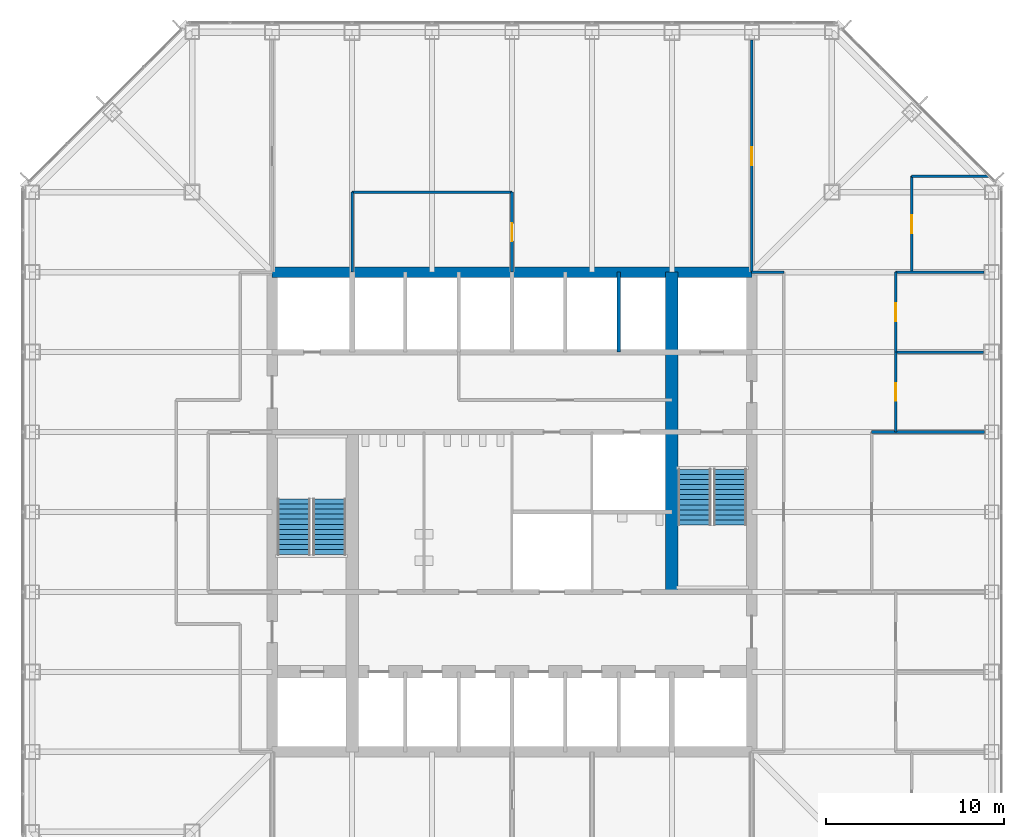
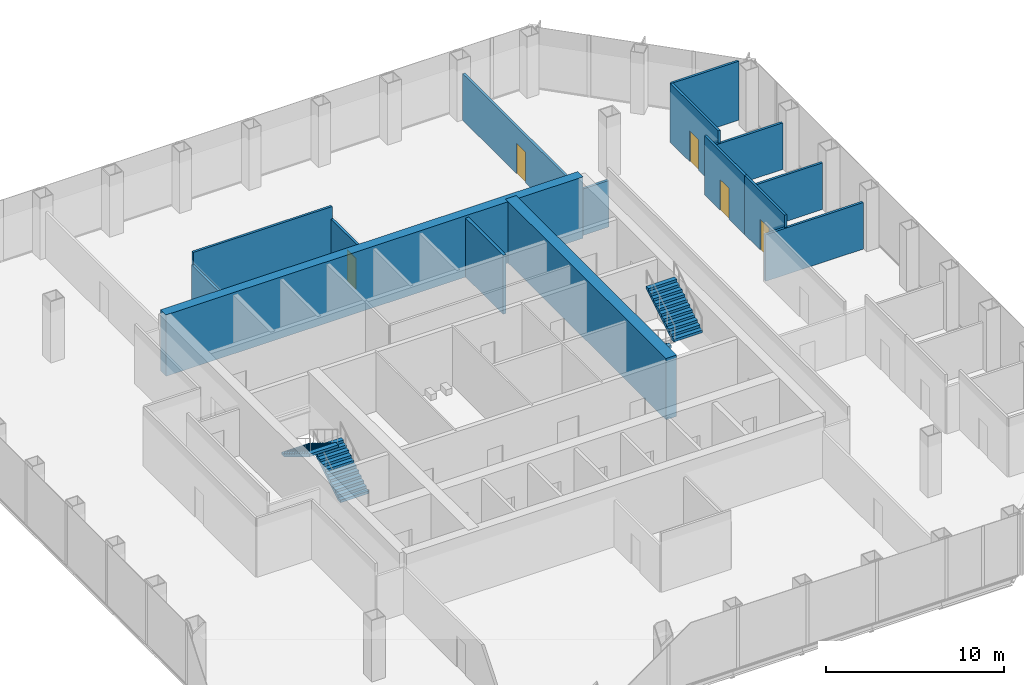
# One storey, part 10 of 12: 15 walls, 5 doors, 4 stair flights, 5 openings, 2 elements without a shape of their own.
"""IFC4 building model written with IfcOpenShell, lengths in metres."""

from ifc_helpers import new_model, si_unit, direction, frame, frame_2d, origin, place, context, subcontext, project, spatial, polyline, rectangle, outline, extrude, material, layer, layer_set, type_object, element, fill, aggregate, save


model = new_model("IFC4")

# Units and contexts
model_context = context("Model", 3, precision=1e-05, world=origin(), true_north=direction((0.0, 1.0)))
body_context = subcontext(model_context, "Body", "Model", "MODEL_VIEW")
ifc_project = project(units=[si_unit("LENGTHUNIT", "METRE"), si_unit("AREAUNIT", "SQUARE_METRE"), si_unit("VOLUMEUNIT", "CUBIC_METRE"), si_unit("PLANEANGLEUNIT", "RADIAN"), si_unit("MASSUNIT", "GRAM", prefix="KILO")], contexts=[model_context])

# Site, building, storey
site_placement = place(None, origin())
site = spatial("IfcSite", under=ifc_project, at=site_placement, CompositionType="ELEMENT")
building_placement = place(site_placement, origin())
building = spatial("IfcBuilding", under=site, at=building_placement, Name="Corais Broadcast Tower", CompositionType="ELEMENT")
storey_placement = place(building_placement, frame((0.0, 0.0, 75.199951171875)))
storey = spatial("IfcBuildingStorey", under=building, at=storey_placement, Name="L16", CompositionType="ELEMENT", Elevation=75.199951171875)

# Walls
ifc_material_1 = material(Name="Concrete C50/60", Category="concrete")
ifc_layer_1 = layer(ifc_material_1, 0.699951171875)
ifc_layer_set_1 = layer_set([ifc_layer_1], Name="Concrete C50/60")
wall_type_1 = type_object("IfcWallType", Name="Core spine wall 700", PredefinedType="SHEAR", material=ifc_layer_set_1)
wall_1_placement = place(storey_placement, frame((36.0, 22.5, 0.0), z_axis=(0.0, 0.0, 1.0), x_axis=(0.0, 1.0, 0.0)))
element("IfcWall", 1, at=wall_1_placement, inside=storey, type_object=wall_type_1, Name="CR700 core wall X36B L16", PredefinedType="SHEAR", context=body_context, shape_type="SweptSolid", body=[
    extrude(rectangle(XDim=18.0, YDim=0.699951171875, at=frame_2d((9.0, 0.0))), origin(), (0.0, 0.0, 1.0), 4.199951171875),
])
ifc_material_2 = material(Name="Concrete C50/60", Category="concrete")
ifc_layer_2 = layer(ifc_material_2, 0.60009765625)
ifc_layer_set_2 = layer_set([ifc_layer_2], Name="Concrete C50/60")
wall_type_2 = type_object("IfcWallType", Name="Core wall 600", PredefinedType="SHEAR", material=ifc_layer_set_2)
wall_2_placement = place(storey_placement, frame((40.5, 40.5, 0.0), z_axis=(0.0, 0.0, 1.0), x_axis=(-1.0, 0.0, 0.0)))
element("IfcWall", 2, at=wall_2_placement, inside=storey, type_object=wall_type_2, Name="CR600 core wall N L16", PredefinedType="SHEAR", context=body_context, shape_type="SweptSolid", body=[
    extrude(rectangle(XDim=27.0, YDim=0.60009765625, at=frame_2d((13.5, 0.0))), origin(), (0.0, 0.0, 1.0), 4.199951171875),
])
ifc_material_3 = material(Name="Gypsum board on steel studs", Category="steel")
ifc_layer_3 = layer(ifc_material_3, 0.14990234375)
ifc_layer_set_3 = layer_set([ifc_layer_3], Name="Gypsum board on steel studs")
wall_type_3 = type_object("IfcWallType", Name="Partition 150", PredefinedType="PARTITIONING", material=ifc_layer_set_3)
wall_3_placement = place(storey_placement, frame((42.300048828125, 40.5, 0.0), z_axis=(0.0, 0.0, 1.0), x_axis=(-1.0, 0.0, 0.0)))
element("IfcWall", 3, at=wall_3_placement, inside=storey, type_object=wall_type_3, Name="IW3 corridor wall L16", PredefinedType="PARTITIONING", context=body_context, shape_type="SweptSolid", body=[
    extrude(rectangle(XDim=1.81005859375, YDim=0.14990234375, at=frame_2d((0.905029296875, 0.0))), origin(), (0.0, 0.0, 1.0), 3.18896484375),
])
wall_4_placement = place(storey_placement, frame((53.590087890625, 31.5, 0.0), z_axis=(0.0, 0.0, 1.0), x_axis=(-1.0, 0.0, 0.0)))
element("IfcWall", 4, at=wall_4_placement, inside=storey, type_object=wall_type_3, Name="IW3 partition L16", PredefinedType="PARTITIONING", context=body_context, shape_type="SweptSolid", body=[
    extrude(rectangle(XDim=6.340087890625, YDim=0.14990234375, at=frame_2d((3.169921875, 0.0))), origin(), (0.0, 0.0, 1.0), 3.18896484375),
])
wall_5_placement = place(storey_placement, frame((53.5400390625, 36.0, 0.0), z_axis=(0.0, 0.0, 1.0), x_axis=(-1.0, 0.0, 0.0)))
element("IfcWall", 5, at=wall_5_placement, inside=storey, type_object=wall_type_3, Name="IW3 partition L16", PredefinedType="PARTITIONING", context=body_context, shape_type="SweptSolid", body=[
    extrude(rectangle(XDim=4.93994140625, YDim=0.14990234375, at=frame_2d((2.469970703125, 0.0))), origin(), (0.0, 0.0, 1.0), 3.18896484375),
])

# Wall, opening, door
wall_6_placement = place(storey_placement, frame((48.60009765625, 36.0, 0.0), z_axis=(0.0, 0.0, 1.0), x_axis=(0.0, -1.0, 0.0)))
wall_6 = element("IfcWall", 6, at=wall_6_placement, inside=storey, type_object=wall_type_3, Name="IW3 partition L16", PredefinedType="PARTITIONING", context=body_context, shape_type="SweptSolid", body=[
    extrude(rectangle(XDim=4.5, YDim=0.14990234375, at=frame_2d((2.25, 0.0))), origin(), (0.0, 0.0, 1.0), 4.0400390625),
])
opening_1_placement = place(wall_6_placement, frame((1.75, 0.0, 0.0)))
opening_1 = element("IfcOpeningElement", 7, at=opening_1_placement, cuts=wall_6, Name="Opening D1", PredefinedType="OPENING", context=body_context, shape_type="SweptSolid", body=[
    extrude(rectangle(XDim=1.0, YDim=2.10009765625, at=frame_2d((0.5, 1.050048828125))), frame((0.0, 0.0849609375, 0.0), z_axis=(0.0, -1.0, 0.0), x_axis=(1.0, 0.0, 0.0)), (0.0, 0.0, 1.0), 0.169921875),
])
ifc_material_4 = material(Name="Timber door", Category="wood")
door_type = type_object("IfcDoorType", Name="Single door 1000x2100", OperationType="SINGLE_SWING_LEFT", PredefinedType="DOOR", material=ifc_material_4)
door_1_placement = place(opening_1_placement, origin())
door_1 = element("IfcDoor", 8, at=door_1_placement, inside=storey, type_object=door_type, Name="D1 Sales office door", OperationType="SINGLE_SWING_LEFT", OverallHeight=2.10009765625, OverallWidth=1.0, PredefinedType="DOOR", context=body_context, shape_type="SweptSolid", body=[
    extrude(rectangle(XDim=1.0, YDim=2.10009765625, at=frame_2d((0.5, 1.050048828125))), frame((0.0, 0.02490234375, 0.0), z_axis=(0.0, -1.0, 0.0), x_axis=(1.0, 0.0, 0.0)), (0.0, 0.0, 1.0), 0.050048828125),
])
fill(opening_1, door_1)

# Wall
wall_7_placement = place(storey_placement, frame((53.56494140625, 40.5, 0.0), z_axis=(0.0, 0.0, 1.0), x_axis=(-1.0, 0.0, 0.0)))
element("IfcWall", 9, at=wall_7_placement, inside=storey, type_object=wall_type_3, Name="IW3 partition L16", PredefinedType="PARTITIONING", context=body_context, shape_type="SweptSolid", body=[
    extrude(rectangle(XDim=4.96484375, YDim=0.14990234375, at=frame_2d((2.482421875, 0.0))), origin(), (0.0, 0.0, 1.0), 3.18896484375),
])

# Wall, opening, door
wall_8_placement = place(storey_placement, frame((48.60009765625, 40.5, 0.0), z_axis=(0.0, 0.0, 1.0), x_axis=(0.0, -1.0, 0.0)))
wall_8 = element("IfcWall", 10, at=wall_8_placement, inside=storey, type_object=wall_type_3, Name="IW3 partition L16", PredefinedType="PARTITIONING", context=body_context, shape_type="SweptSolid", body=[
    extrude(rectangle(XDim=4.5, YDim=0.14990234375, at=frame_2d((2.25, 0.0))), origin(), (0.0, 0.0, 1.0), 4.0400390625),
])
opening_2_placement = place(wall_8_placement, frame((1.75, 0.0, 0.0)))
opening_2 = element("IfcOpeningElement", 11, at=opening_2_placement, cuts=wall_8, Name="Opening D1", PredefinedType="OPENING", context=body_context, shape_type="SweptSolid", body=[
    extrude(rectangle(XDim=1.0, YDim=2.10009765625, at=frame_2d((0.5, 1.050048828125))), frame((0.0, 0.0849609375, 0.0), z_axis=(0.0, -1.0, 0.0), x_axis=(1.0, 0.0, 0.0)), (0.0, 0.0, 1.0), 0.169921875),
])
door_2_placement = place(opening_2_placement, origin())
door_2 = element("IfcDoor", 12, at=door_2_placement, inside=storey, type_object=door_type, Name="D1 Sales office door", OperationType="SINGLE_SWING_LEFT", OverallHeight=2.10009765625, OverallWidth=1.0, PredefinedType="DOOR", context=body_context, shape_type="SweptSolid", body=[
    extrude(rectangle(XDim=1.0, YDim=2.10009765625, at=frame_2d((0.5, 1.050048828125))), frame((0.0, 0.02490234375, 0.0), z_axis=(0.0, -1.0, 0.0), x_axis=(1.0, 0.0, 0.0)), (0.0, 0.0, 1.0), 0.050048828125),
])
fill(opening_2, door_2)

# Wall
wall_9_placement = place(storey_placement, frame((53.83544921875, 45.89990234375, 0.0), z_axis=(0.0, 0.0, 1.0), x_axis=(-1.0, 0.0, 0.0)))
element("IfcWall", 13, at=wall_9_placement, inside=storey, type_object=wall_type_3, Name="IW3 partition L16", PredefinedType="PARTITIONING", context=body_context, shape_type="SweptSolid", body=[
    extrude(rectangle(XDim=4.33544921875, YDim=0.14990234375, at=frame_2d((2.167724609375, 0.0))), origin(), (0.0, 0.0, 1.0), 4.0400390625),
])

# Wall, opening, door
wall_10_placement = place(storey_placement, frame((49.5, 45.89990234375, 0.0), z_axis=(0.0, 0.0, 1.0), x_axis=(0.0, -1.0, 0.0)))
wall_10 = element("IfcWall", 14, at=wall_10_placement, inside=storey, type_object=wall_type_3, Name="IW3 partition L16", PredefinedType="PARTITIONING", context=body_context, shape_type="SweptSolid", body=[
    extrude(rectangle(XDim=5.39990234375, YDim=0.14990234375, at=frame_2d((2.699951171875, 0.0))), origin(), (0.0, 0.0, 1.0), 4.0400390625),
])
opening_3_placement = place(wall_10_placement, frame((2.199951171875, 0.0, 0.0)))
opening_3 = element("IfcOpeningElement", 15, at=opening_3_placement, cuts=wall_10, Name="Opening D1", PredefinedType="OPENING", context=body_context, shape_type="SweptSolid", body=[
    extrude(rectangle(XDim=1.0, YDim=2.10009765625, at=frame_2d((0.5, 1.050048828125))), frame((0.0, 0.0849609375, 0.0), z_axis=(0.0, -1.0, 0.0), x_axis=(1.0, 0.0, 0.0)), (0.0, 0.0, 1.0), 0.169921875),
])
door_3_placement = place(opening_3_placement, origin())
door_3 = element("IfcDoor", 16, at=door_3_placement, inside=storey, type_object=door_type, Name="D1 Sales office door", OperationType="SINGLE_SWING_LEFT", OverallHeight=2.10009765625, OverallWidth=1.0, PredefinedType="DOOR", context=body_context, shape_type="SweptSolid", body=[
    extrude(rectangle(XDim=1.0, YDim=2.10009765625, at=frame_2d((0.5, 1.050048828125))), frame((0.0, 0.02490234375, 0.0), z_axis=(0.0, -1.0, 0.0), x_axis=(1.0, 0.0, 0.0)), (0.0, 0.0, 1.0), 0.050048828125),
])
fill(opening_3, door_3)

wall_11_placement = place(storey_placement, frame((27.0, 40.5, 0.0), z_axis=(0.0, 0.0, 1.0), x_axis=(0.0, 1.0, 0.0)))
wall_11 = element("IfcWall", 17, at=wall_11_placement, inside=storey, type_object=wall_type_3, Name="IW3 partition L16", PredefinedType="PARTITIONING", context=body_context, shape_type="SweptSolid", body=[
    extrude(rectangle(XDim=4.5, YDim=0.14990234375, at=frame_2d((2.25, 0.0))), origin(), (0.0, 0.0, 1.0), 3.18896484375),
])
opening_4_placement = place(wall_11_placement, frame((1.75, 0.0, 0.0)))
opening_4 = element("IfcOpeningElement", 18, at=opening_4_placement, cuts=wall_11, Name="Opening D1", PredefinedType="OPENING", context=body_context, shape_type="SweptSolid", body=[
    extrude(rectangle(XDim=1.0, YDim=2.10009765625, at=frame_2d((0.5, 1.050048828125))), frame((0.0, 0.0849609375, 0.0), z_axis=(0.0, -1.0, 0.0), x_axis=(1.0, 0.0, 0.0)), (0.0, 0.0, 1.0), 0.169921875),
])
door_4_placement = place(opening_4_placement, origin())
door_4 = element("IfcDoor", 19, at=door_4_placement, inside=storey, type_object=door_type, Name="D1 Client lounge door", OperationType="SINGLE_SWING_LEFT", OverallHeight=2.10009765625, OverallWidth=1.0, PredefinedType="DOOR", context=body_context, shape_type="SweptSolid", body=[
    extrude(rectangle(XDim=1.0, YDim=2.10009765625, at=frame_2d((0.5, 1.050048828125))), frame((0.0, 0.02490234375, 0.0), z_axis=(0.0, -1.0, 0.0), x_axis=(1.0, 0.0, 0.0)), (0.0, 0.0, 1.0), 0.050048828125),
])
fill(opening_4, door_4)

# Walls
wall_12_placement = place(storey_placement, frame((27.0, 45.0, 0.0), z_axis=(0.0, 0.0, 1.0), x_axis=(-1.0, 0.0, 0.0)))
element("IfcWall", 20, at=wall_12_placement, inside=storey, type_object=wall_type_3, Name="IW3 partition L16", PredefinedType="PARTITIONING", context=body_context, shape_type="SweptSolid", body=[
    extrude(rectangle(XDim=9.0, YDim=0.14990234375, at=frame_2d((4.5, 0.0))), origin(), (0.0, 0.0, 1.0), 4.0400390625),
])
wall_13_placement = place(storey_placement, frame((18.0, 45.0, 0.0), z_axis=(0.0, 0.0, 1.0), x_axis=(0.0, -1.0, 0.0)))
element("IfcWall", 21, at=wall_13_placement, inside=storey, type_object=wall_type_3, Name="IW3 partition L16", PredefinedType="PARTITIONING", context=body_context, shape_type="SweptSolid", body=[
    extrude(rectangle(XDim=4.5, YDim=0.14990234375, at=frame_2d((2.25, 0.0))), origin(), (0.0, 0.0, 1.0), 3.18896484375),
])

# Wall, opening, door
wall_14_placement = place(storey_placement, frame((40.5, 53.554931640625, 0.0), z_axis=(0.0, 0.0, 1.0), x_axis=(0.0, -1.0, 0.0)))
wall_14 = element("IfcWall", 22, at=wall_14_placement, inside=storey, type_object=wall_type_3, Name="IW3 partition L16", PredefinedType="PARTITIONING", context=body_context, shape_type="SweptSolid", body=[
    extrude(rectangle(XDim=13.054931640625, YDim=0.14990234375, at=frame_2d((6.52734375, 0.0))), origin(), (0.0, 0.0, 1.0), 3.18896484375),
])
opening_5_placement = place(wall_14_placement, frame((6.027587890625, 0.0, 0.0)))
opening_5 = element("IfcOpeningElement", 23, at=opening_5_placement, cuts=wall_14, Name="Opening D1", PredefinedType="OPENING", context=body_context, shape_type="SweptSolid", body=[
    extrude(rectangle(XDim=1.0, YDim=2.10009765625, at=frame_2d((0.5, 1.050048828125))), frame((0.0, 0.0849609375, 0.0), z_axis=(0.0, -1.0, 0.0), x_axis=(1.0, 0.0, 0.0)), (0.0, 0.0, 1.0), 0.169921875),
])
door_5_placement = place(opening_5_placement, origin())
door_5 = element("IfcDoor", 24, at=door_5_placement, inside=storey, type_object=door_type, Name="D1 team room door L16", OperationType="SINGLE_SWING_LEFT", OverallHeight=2.10009765625, OverallWidth=1.0, PredefinedType="DOOR", context=body_context, shape_type="SweptSolid", body=[
    extrude(rectangle(XDim=1.0, YDim=2.10009765625, at=frame_2d((0.5, 1.050048828125))), frame((0.0, 0.02490234375, 0.0), z_axis=(0.0, -1.0, 0.0), x_axis=(1.0, 0.0, 0.0)), (0.0, 0.0, 1.0), 0.050048828125),
])
fill(opening_5, door_5)

# Wall
ifc_material_5 = material(Name="Concrete blockwork class A, grouted, two-hour", Category="masonry")
ifc_layer_4 = layer(ifc_material_5, 0.199951171875)
ifc_layer_set_4 = layer_set([ifc_layer_4], Name="Concrete blockwork class A, grouted, two-hour")
wall_type_4 = type_object("IfcWallType", Name="Shaft wall 200", PredefinedType="PARTITIONING", material=ifc_layer_set_4)
wall_15_placement = place(storey_placement, frame((33.0, 36.0, 0.0), z_axis=(0.0, 0.0, 1.0), x_axis=(0.0, 1.0, 0.0)))
element("IfcWall", 25, at=wall_15_placement, inside=storey, type_object=wall_type_4, Name="IW1 shaft wall L16", PredefinedType="PARTITIONING", context=body_context, shape_type="SweptSolid", body=[
    extrude(rectangle(XDim=4.5, YDim=0.199951171875, at=frame_2d((2.25, 0.0))), origin(), (0.0, 0.0, 1.0), 4.0400390625),
])

# Stair, stair flights
ifc_material_6 = material(Name="Concrete C30/37", Category="concrete")
stair_type = type_object("IfcStairType", Name="Half-turn stair 4200", PredefinedType="HALF_TURN_STAIR", material=ifc_material_6)
stair_1_placement = place(storey_placement, origin())
stair_1 = element("IfcStair", 26, at=stair_1_placement, inside=storey, type_object=stair_type, Name="Stair A L16", PredefinedType="HALF_TURN_STAIR")
ifc_material_7 = material(Name="Concrete C30/37", Category="concrete")
stair_flight_type = type_object("IfcStairFlightType", Name="Stair flight 4200", PredefinedType="STRAIGHT", material=ifc_material_7)
stair_flight_1_placement = place(storey_placement, frame((16.72509765625, 24.60009765625, 0.0), z_axis=(0.0, 0.0, 1.0), x_axis=(0.0, 1.0, 0.0)))
stair_flight_1 = element("IfcStairFlight", 27, at=stair_flight_1_placement, type_object=stair_flight_type, Name="STA flight 1", NumberOfRisers=12, NumberOfTreads=11, PredefinedType="STRAIGHT", RiserHeight=0.175, TreadLength=0.285, context=body_context, shape_type="SweptSolid", body=[
    extrude(outline(polyline([(0.0, 0.0), (0.0, 0.175048828125), (0.284912109375, 0.175048828125), (0.284912109375, 0.35009765625), (0.570068359375, 0.35009765625), (0.570068359375, 0.52490234375), (0.85498046875, 0.52490234375), (0.85498046875, 0.699951171875), (1.139892578125, 0.699951171875), (1.139892578125, 0.875), (1.425048828125, 0.875), (1.425048828125, 1.050048828125), (1.7099609375, 1.050048828125), (1.7099609375, 1.22509765625), (1.9951171875, 1.22509765625), (1.9951171875, 1.39990234375), (2.280029296875, 1.39990234375), (2.280029296875, 1.574951171875), (2.56494140625, 1.574951171875), (2.56494140625, 1.75), (2.85009765625, 1.75), (2.85009765625, 1.925048828125), (3.135009765625, 1.925048828125), (3.135009765625, 2.10009765625), (3.135009765625, 1.7490234375), (0.286376953125, 0.0), (0.0, 0.0)])), frame((0.0, 0.925048828125, 0.0), z_axis=(0.0, -1.0, 0.0), x_axis=(1.0, 0.0, 0.0)), (0.0, 0.0, 1.0), 1.85009765625),
])
stair_flight_2_placement = place(storey_placement, frame((14.72509765625, 27.735107421875, 2.10009765625), z_axis=(0.0, 0.0, 1.0), x_axis=(0.0, -1.0, 0.0)))
stair_flight_2 = element("IfcStairFlight", 28, at=stair_flight_2_placement, type_object=stair_flight_type, Name="STA flight 2", NumberOfRisers=12, NumberOfTreads=11, PredefinedType="STRAIGHT", RiserHeight=0.175, TreadLength=0.285, context=body_context, shape_type="SweptSolid", body=[
    extrude(outline(polyline([(0.0, 0.0), (0.0, 0.175048828125), (0.284912109375, 0.175048828125), (0.284912109375, 0.35009765625), (0.570068359375, 0.35009765625), (0.570068359375, 0.52490234375), (0.85498046875, 0.52490234375), (0.85498046875, 0.699951171875), (1.139892578125, 0.699951171875), (1.139892578125, 0.875), (1.425048828125, 0.875), (1.425048828125, 1.050048828125), (1.7099609375, 1.050048828125), (1.7099609375, 1.22509765625), (1.9951171875, 1.22509765625), (1.9951171875, 1.39990234375), (2.280029296875, 1.39990234375), (2.280029296875, 1.574951171875), (2.56494140625, 1.574951171875), (2.56494140625, 1.75), (2.85009765625, 1.75), (2.85009765625, 1.925048828125), (3.135009765625, 1.925048828125), (3.135009765625, 2.10009765625), (3.135009765625, 1.7490234375), (0.286376953125, 0.0), (0.0, 0.0)])), frame((0.0, 0.925048828125, 0.0), z_axis=(0.0, -1.0, 0.0), x_axis=(1.0, 0.0, 0.0)), (0.0, 0.0, 1.0), 1.85009765625),
])
aggregate(stair_1, [stair_flight_1, stair_flight_2])

stair_2_placement = place(storey_placement, origin())
stair_2 = element("IfcStair", 29, at=stair_2_placement, inside=storey, type_object=stair_type, Name="Stair B L16", PredefinedType="HALF_TURN_STAIR")
stair_flight_3_placement = place(storey_placement, frame((37.27490234375, 29.39990234375, 0.0), z_axis=(0.0, 0.0, 1.0), x_axis=(0.0, -1.0, 0.0)))
stair_flight_3 = element("IfcStairFlight", 30, at=stair_flight_3_placement, type_object=stair_flight_type, Name="STB flight 1", NumberOfRisers=12, NumberOfTreads=11, PredefinedType="STRAIGHT", RiserHeight=0.175, TreadLength=0.285, context=body_context, shape_type="SweptSolid", body=[
    extrude(outline(polyline([(0.0, 0.0), (0.0, 0.175048828125), (0.284912109375, 0.175048828125), (0.284912109375, 0.35009765625), (0.570068359375, 0.35009765625), (0.570068359375, 0.52490234375), (0.85498046875, 0.52490234375), (0.85498046875, 0.699951171875), (1.139892578125, 0.699951171875), (1.139892578125, 0.875), (1.425048828125, 0.875), (1.425048828125, 1.050048828125), (1.7099609375, 1.050048828125), (1.7099609375, 1.22509765625), (1.9951171875, 1.22509765625), (1.9951171875, 1.39990234375), (2.280029296875, 1.39990234375), (2.280029296875, 1.574951171875), (2.56494140625, 1.574951171875), (2.56494140625, 1.75), (2.85009765625, 1.75), (2.85009765625, 1.925048828125), (3.135009765625, 1.925048828125), (3.135009765625, 2.10009765625), (3.135009765625, 1.7490234375), (0.286376953125, 0.0), (0.0, 0.0)])), frame((0.0, 0.925048828125, 0.0), z_axis=(0.0, -1.0, 0.0), x_axis=(1.0, 0.0, 0.0)), (0.0, 0.0, 1.0), 1.85009765625),
])
stair_flight_4_placement = place(storey_placement, frame((39.27490234375, 26.264892578125, 2.10009765625), z_axis=(0.0, 0.0, 1.0), x_axis=(0.0, 1.0, 0.0)))
stair_flight_4 = element("IfcStairFlight", 31, at=stair_flight_4_placement, type_object=stair_flight_type, Name="STB flight 2", NumberOfRisers=12, NumberOfTreads=11, PredefinedType="STRAIGHT", RiserHeight=0.175, TreadLength=0.285, context=body_context, shape_type="SweptSolid", body=[
    extrude(outline(polyline([(0.0, 0.0), (0.0, 0.175048828125), (0.284912109375, 0.175048828125), (0.284912109375, 0.35009765625), (0.570068359375, 0.35009765625), (0.570068359375, 0.52490234375), (0.85498046875, 0.52490234375), (0.85498046875, 0.699951171875), (1.139892578125, 0.699951171875), (1.139892578125, 0.875), (1.425048828125, 0.875), (1.425048828125, 1.050048828125), (1.7099609375, 1.050048828125), (1.7099609375, 1.22509765625), (1.9951171875, 1.22509765625), (1.9951171875, 1.39990234375), (2.280029296875, 1.39990234375), (2.280029296875, 1.574951171875), (2.56494140625, 1.574951171875), (2.56494140625, 1.75), (2.85009765625, 1.75), (2.85009765625, 1.925048828125), (3.135009765625, 1.925048828125), (3.135009765625, 2.10009765625), (3.135009765625, 1.7490234375), (0.286376953125, 0.0), (0.0, 0.0)])), frame((0.0, 0.925048828125, 0.0), z_axis=(0.0, -1.0, 0.0), x_axis=(1.0, 0.0, 0.0)), (0.0, 0.0, 1.0), 1.85009765625),
])
aggregate(stair_2, [stair_flight_3, stair_flight_4])

save(model, "model.ifc")
